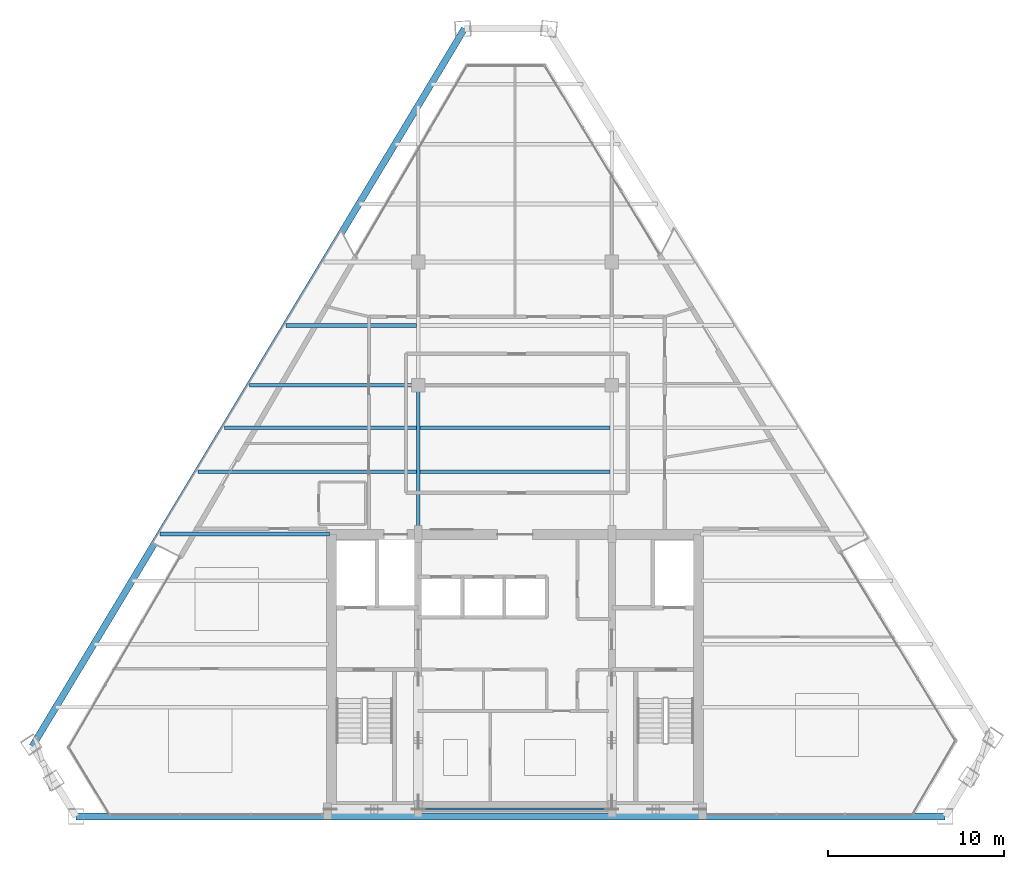
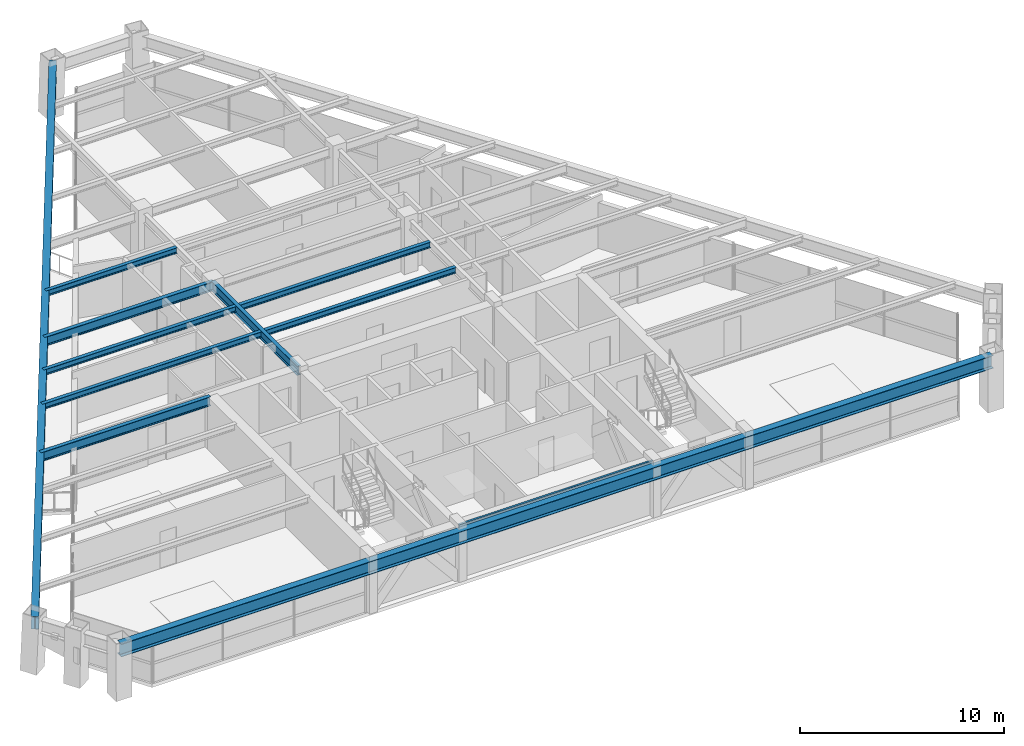
# One storey, part 3 of 13: 11 beams.
"""IFC4 building model written with IfcOpenShell, lengths in metres."""

from ifc_helpers import new_model, si_unit, direction, frame, origin, origin_2d, place, context, subcontext, project, spatial, i_section, extrude, source, transform, mapped, material, material_profile, profile_set, type_object, type_shapes, element, save


model = new_model("IFC4")

# Units and contexts
model_context = context("Model", 3, precision=1e-05, world=origin(), true_north=direction((0.0, 1.0)))
body_context = subcontext(model_context, "Body", "Model", "MODEL_VIEW")
ifc_project = project(units=[si_unit("LENGTHUNIT", "METRE"), si_unit("AREAUNIT", "SQUARE_METRE"), si_unit("VOLUMEUNIT", "CUBIC_METRE"), si_unit("PLANEANGLEUNIT", "RADIAN"), si_unit("MASSUNIT", "GRAM", prefix="KILO")], contexts=[model_context])

# Site, building, storey
site_placement = place(None, origin())
site = spatial("IfcSite", under=ifc_project, at=site_placement, CompositionType="ELEMENT")
building_placement = place(site_placement, origin())
building = spatial("IfcBuilding", under=site, at=building_placement, Name="Varnakhor Terracotta Tower", CompositionType="ELEMENT")
storey_placement = place(building_placement, frame((0.0, 0.0, 254.5)))
storey = spatial("IfcBuildingStorey", under=building, at=storey_placement, Name="L66", CompositionType="ELEMENT", Elevation=254.5)

# Beams
ifc_material = material(Name="Steel S355", Category="steel")
ifc_material_profile_1 = material_profile(ifc_material, i_section(OverallWidth=0.1201171875, OverallDepth=0.239990234375, WebThickness=0.006103515625, FlangeThickness=0.009765625, FilletRadius=0.01806640625, at=origin_2d()), Name="IPE240")
ifc_profile_set_1 = profile_set([ifc_material_profile_1], Name="Steel S355")
beam_type_1 = type_object("IfcBeamType", Name="LNT-IPE240", PredefinedType="LINTEL", material=ifc_profile_set_1)
shared_shape_1 = source(origin(), body_context, "Body", "SweptSolid", [
    extrude(i_section(OverallWidth=0.1201171875, OverallDepth=0.239990234375, WebThickness=0.006103515625, FlangeThickness=0.009765625, FilletRadius=0.01806640625, at=origin_2d()), origin(), (0.0, 0.0, 1.0), 11.0),
])
type_shapes(beam_type_1, [shared_shape_1])
beam_1_placement = place(storey_placement, frame((-5.5, 0.419921875, 3.030029296875), z_axis=(1.0, 0.0, 0.0), x_axis=(0.0, 1.0, 0.0)))
element("IfcBeam", 1, at=beam_1_placement, inside=storey, type_object=beam_type_1, Name="L66 Core South Coupling Lintel", PredefinedType="LINTEL", context=body_context, shape_type="MappedRepresentation", body=[
    mapped(shared_shape_1, transform((0.0, 0.0, 0.0), scale=1.0)),
])
ifc_material_profile_2 = material_profile(ifc_material, i_section(OverallWidth=0.214111328125, OverallDepth=0.549072265625, WebThickness=0.014892578125, FlangeThickness=0.02392578125, FilletRadius=0.01806640625, at=origin_2d()), Name="W21X93")
ifc_profile_set_2 = profile_set([ifc_material_profile_2], Name="Steel S355")
beam_type_2 = type_object("IfcBeamType", Name="BM-W21X93", PredefinedType="BEAM", material=ifc_profile_set_2)
shared_shape_2 = source(origin(), body_context, "Body", "SweptSolid", [
    extrude(i_section(OverallWidth=0.214111328125, OverallDepth=0.549072265625, WebThickness=0.014892578125, FlangeThickness=0.02392578125, FilletRadius=0.01806640625, at=origin_2d()), origin(), (0.0, 0.0, 1.0), 8.449951171875),
])
type_shapes(beam_type_2, [shared_shape_2])
beam_2_placement = place(storey_placement, frame((-5.5, 16.050048828125, 2.87548828125), z_axis=(0.0, 1.0, 0.0), x_axis=(-1.0, 0.0, 0.0)))
element("IfcBeam", 2, at=beam_2_placement, inside=storey, type_object=beam_type_2, Name="L66 Primary Girder NS1-W", PredefinedType="BEAM", context=body_context, shape_type="MappedRepresentation", body=[
    mapped(shared_shape_2, transform((0.0, 0.0, 0.0), scale=1.0)),
])
ifc_material_profile_3 = material_profile(ifc_material, i_section(OverallWidth=0.202880859375, OverallDepth=0.346923828125, WebThickness=0.0078125, FlangeThickness=0.013427734375, FilletRadius=0.01806640625, at=origin_2d()), Name="W14X43")
ifc_profile_set_3 = profile_set([ifc_material_profile_3], Name="Steel S355")
beam_type_3 = type_object("IfcBeamType", Name="JST-W14X43", PredefinedType="JOIST", material=ifc_profile_set_3)
shared_shape_3 = source(origin(), body_context, "Body", "SweptSolid", [
    extrude(i_section(OverallWidth=0.202880859375, OverallDepth=0.346923828125, WebThickness=0.0078125, FlangeThickness=0.013427734375, FilletRadius=0.01806640625, at=origin_2d()), origin(), (0.0, 0.0, 1.0), 10.7939453125),
])
for number, where, z_axis, x_axis, name in (
    (3, (-5.39697265625, 19.60009765625, 2.9765625), (1.0, 0.0, 0.0), (0.0, 1.0, 0.0), "L66 Composite Floor Joist 4-2"),
    (4, (-5.39697265625, 22.10009765625, 2.9765625), (1.0, 0.0, 0.0), (0.0, 1.0, 0.0), "L66 Composite Floor Joist 5-2"),
):
    element("IfcBeam", number, at=place(storey_placement, frame(where, z_axis=z_axis, x_axis=x_axis)), inside=storey, type_object=beam_type_3, Name=name, PredefinedType="JOIST", context=body_context, shape_type="MappedRepresentation", body=[
        mapped(shared_shape_3, transform((0.0, 0.0, 0.0), scale=1.0)),
    ])
ifc_material_profile_4 = material_profile(ifc_material, i_section(OverallWidth=0.381103515625, OverallDepth=0.77294921875, WebThickness=0.01708984375, FlangeThickness=0.027099609375, FilletRadius=0.01806640625, at=origin_2d()), Name="W30X173")
ifc_profile_set_4 = profile_set([ifc_material_profile_4], Name="Steel S355")
beam_type_4 = type_object("IfcBeamType", Name="BM-W30X173", PredefinedType="BEAM", material=ifc_profile_set_4)
shared_shape_4 = source(origin(), body_context, "Body", "SweptSolid", [
    extrude(i_section(OverallWidth=0.381103515625, OverallDepth=0.77294921875, WebThickness=0.01708984375, FlangeThickness=0.027099609375, FilletRadius=0.01806640625, at=origin_2d()), origin(), (0.0, 0.0, 1.0), 49.370849609375),
])
beam_3_placement = place(storey_placement, frame((-24.931640625, 0.0, 2.763427734375), z_axis=(1.0, 0.0, 0.0), x_axis=(0.0, 1.0, 0.0)))
element("IfcBeam", 5, at=beam_3_placement, inside=storey, type_object=beam_type_4, Name="L66 Perimeter Spandrel 1", PredefinedType="BEAM", context=body_context, shape_type="MappedRepresentation", body=[
    mapped(shared_shape_4, transform((0.0, 0.0, 0.0), scale=1.0)),
])
shared_shape_5 = source(origin(), body_context, "Body", "SweptSolid", [
    extrude(i_section(OverallWidth=0.381103515625, OverallDepth=0.77294921875, WebThickness=0.01708984375, FlangeThickness=0.027099609375, FilletRadius=0.01806640625, at=origin_2d()), origin(), (0.0, 0.0, 1.0), 47.58935546875),
])
beam_4_placement = place(storey_placement, frame((-2.87353515625, 44.7587890625, 2.763427734375), z_axis=(-0.515867411813, -0.856668438446, 0.0), x_axis=(0.856668438446, -0.515867411813, 0.0)))
element("IfcBeam", 6, at=beam_4_placement, inside=storey, type_object=beam_type_4, Name="L66 Perimeter Spandrel 6", PredefinedType="BEAM", context=body_context, shape_type="MappedRepresentation", body=[
    mapped(shared_shape_5, transform((0.0, 0.0, 0.0), scale=1.0)),
])
shared_shape_6 = source(origin(), body_context, "Body", "SweptSolid", [
    extrude(i_section(OverallWidth=0.214111328125, OverallDepth=0.549072265625, WebThickness=0.014892578125, FlangeThickness=0.02392578125, FilletRadius=0.01806640625, at=origin_2d()), origin(), (0.0, 0.0, 1.0), 9.611328125),
])
beam_5_placement = place(storey_placement, frame((-20.161376953125, 16.050048828125, 2.87548828125), z_axis=(1.0, 0.0, 0.0), x_axis=(0.0, 1.0, 0.0)))
element("IfcBeam", 7, at=beam_5_placement, inside=storey, type_object=beam_type_2, Name="L66 Wing Girder W", PredefinedType="BEAM", context=body_context, shape_type="MappedRepresentation", body=[
    mapped(shared_shape_6, transform((0.0, 0.0, 0.0), scale=1.0)),
])
shared_shape_7 = source(origin(), body_context, "Body", "SweptSolid", [
    extrude(i_section(OverallWidth=0.214111328125, OverallDepth=0.549072265625, WebThickness=0.014892578125, FlangeThickness=0.02392578125, FilletRadius=0.01806640625, at=origin_2d()), origin(), (0.0, 0.0, 1.0), 9.572998046875),
])
beam_6_placement = place(storey_placement, frame((-15.072998046875, 24.5, 2.87548828125), z_axis=(1.0, 0.0, 0.0), x_axis=(0.0, 1.0, 0.0)))
element("IfcBeam", 8, at=beam_6_placement, inside=storey, type_object=beam_type_2, Name="L66 Primary Girder EW2-1", PredefinedType="BEAM", context=body_context, shape_type="MappedRepresentation", body=[
    mapped(shared_shape_7, transform((0.0, 0.0, 0.0), scale=1.0)),
])
shared_shape_8 = source(origin(), body_context, "Body", "SweptSolid", [
    extrude(i_section(OverallWidth=0.202880859375, OverallDepth=0.346923828125, WebThickness=0.0078125, FlangeThickness=0.013427734375, FilletRadius=0.01806640625, at=origin_2d()), origin(), (0.0, 0.0, 1.0), 12.420654296875),
])
beam_7_placement = place(storey_placement, frame((-18.023681640625, 19.60009765625, 2.9765625), z_axis=(1.0, 0.0, 0.0), x_axis=(0.0, 1.0, 0.0)))
element("IfcBeam", 9, at=beam_7_placement, inside=storey, type_object=beam_type_3, Name="L66 Composite Floor Joist 4-1", PredefinedType="JOIST", context=body_context, shape_type="MappedRepresentation", body=[
    mapped(shared_shape_8, transform((0.0, 0.0, 0.0), scale=1.0)),
])
shared_shape_9 = source(origin(), body_context, "Body", "SweptSolid", [
    extrude(i_section(OverallWidth=0.202880859375, OverallDepth=0.346923828125, WebThickness=0.0078125, FlangeThickness=0.013427734375, FilletRadius=0.01806640625, at=origin_2d()), origin(), (0.0, 0.0, 1.0), 10.915283203125),
])
beam_8_placement = place(storey_placement, frame((-16.518310546875, 22.10009765625, 2.9765625), z_axis=(1.0, 0.0, 0.0), x_axis=(0.0, 1.0, 0.0)))
element("IfcBeam", 10, at=beam_8_placement, inside=storey, type_object=beam_type_3, Name="L66 Composite Floor Joist 5-1", PredefinedType="JOIST", context=body_context, shape_type="MappedRepresentation", body=[
    mapped(shared_shape_9, transform((0.0, 0.0, 0.0), scale=1.0)),
])
shared_shape_10 = source(origin(), body_context, "Body", "SweptSolid", [
    extrude(i_section(OverallWidth=0.202880859375, OverallDepth=0.346923828125, WebThickness=0.0078125, FlangeThickness=0.013427734375, FilletRadius=0.01806640625, at=origin_2d()), origin(), (0.0, 0.0, 1.0), 7.422607421875),
])
beam_9_placement = place(storey_placement, frame((-13.025634765625, 27.89990234375, 2.9765625), z_axis=(1.0, 0.0, 0.0), x_axis=(0.0, 1.0, 0.0)))
element("IfcBeam", 11, at=beam_9_placement, inside=storey, type_object=beam_type_3, Name="L66 Composite Floor Joist 6-1", PredefinedType="JOIST", context=body_context, shape_type="MappedRepresentation", body=[
    mapped(shared_shape_10, transform((0.0, 0.0, 0.0), scale=1.0)),
])

save(model, "model.ifc")
